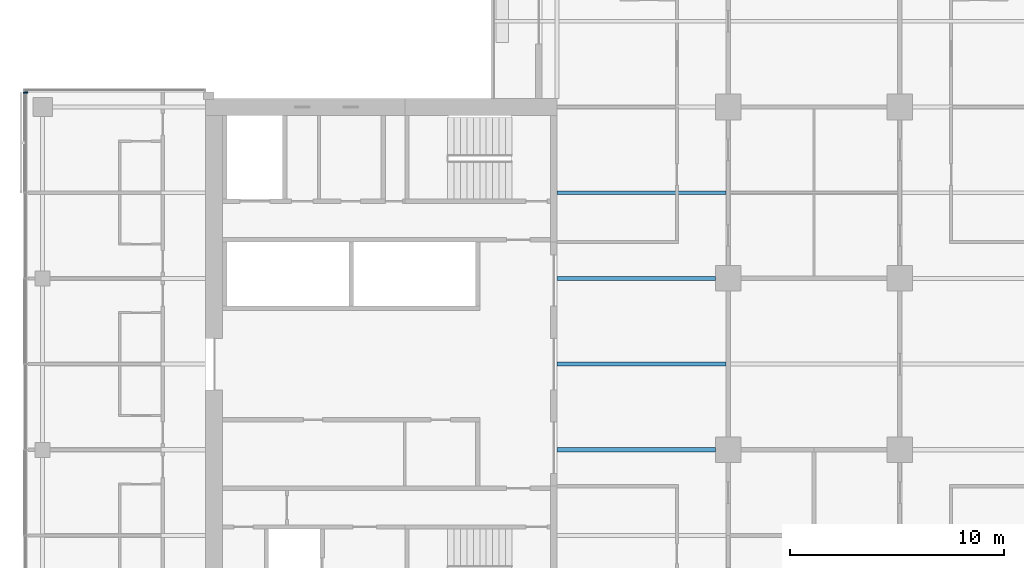
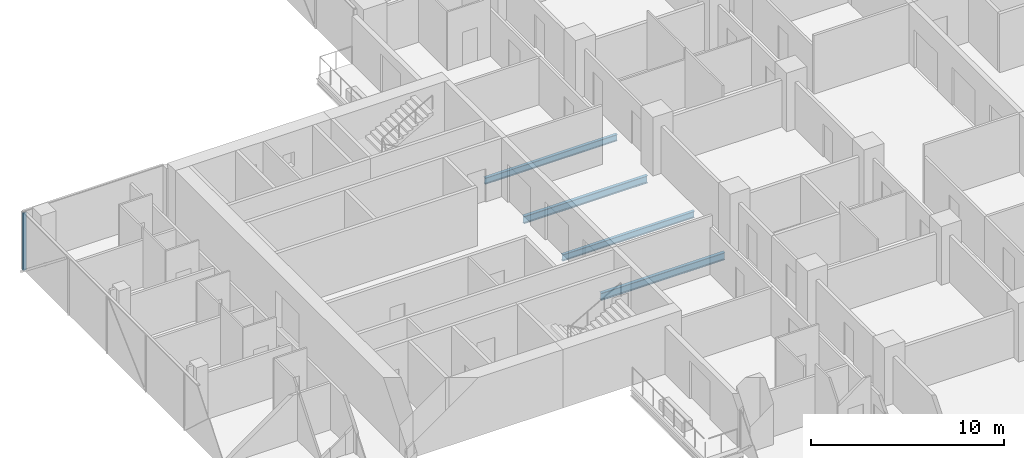
# One storey, part 7 of 29: 4 beams, 1 member, 1 element without a shape of its own.
"""IFC4 building model written with IfcOpenShell, lengths in metres."""

from ifc_helpers import new_model, si_unit, direction, frame, origin, origin_2d, place, context, subcontext, project, spatial, rectangle, i_section, extrude, material, material_profile, profile_set, type_object, element, aggregate, save


model = new_model("IFC4")

# Units and contexts
model_context = context("Model", 3, precision=1e-05, world=origin(), true_north=direction((0.0, 1.0)))
body_context = subcontext(model_context, "Body", "Model", "MODEL_VIEW")
ifc_project = project(units=[si_unit("LENGTHUNIT", "METRE"), si_unit("AREAUNIT", "SQUARE_METRE"), si_unit("VOLUMEUNIT", "CUBIC_METRE"), si_unit("PLANEANGLEUNIT", "RADIAN"), si_unit("MASSUNIT", "GRAM", prefix="KILO")], contexts=[model_context])

# Site, building, storey
site_placement = place(None, origin())
site = spatial("IfcSite", under=ifc_project, at=site_placement, CompositionType="ELEMENT")
building_placement = place(site_placement, origin())
building = spatial("IfcBuilding", under=site, at=building_placement, Name="Crosswind Convention Tower", CompositionType="ELEMENT")
storey_placement = place(building_placement, frame((0.0, 0.0, 53.5)))
storey = spatial("IfcBuildingStorey", under=building, at=storey_placement, Name="L07", CompositionType="ELEMENT", Elevation=53.5)

# Beams
ifc_material_1 = material(Name="Steel S355", Category="steel")
ifc_material_profile_1 = material_profile(ifc_material_1, i_section(OverallWidth=0.19189453125, OverallDepth=0.463623046875, WebThickness=0.010498046875, FlangeThickness=0.017578125, FilletRadius=0.01025390625, at=origin_2d()), Name="UB 457x191x90")
ifc_profile_set_1 = profile_set([ifc_material_profile_1], Name="Steel S355")
beam_type_1 = type_object("IfcBeamType", Name="Girder at core wall UB 457x191x90", PredefinedType="BEAM", material=ifc_profile_set_1)
for number, where, z_axis, x_axis, name in (
    (1, (113.0, 96.0, -0.51171875), (1.0, 0.0, 0.0), (0.0, 1.0, 0.0), "B24 L07 girder at core wall 4"),
    (2, (113.0, 104.0, -0.51171875), (1.0, 0.0, 0.0), (0.0, 1.0, 0.0), "B24 L07 girder at core wall 5"),
):
    element("IfcBeam", number, at=place(storey_placement, frame(where, z_axis=z_axis, x_axis=x_axis)), inside=storey, type_object=beam_type_1, Name=name, PredefinedType="BEAM", context=body_context, shape_type="SweptSolid", body=[
        extrude(i_section(OverallWidth=0.19189453125, OverallDepth=0.463623046875, WebThickness=0.010498046875, FlangeThickness=0.017578125, FilletRadius=0.01025390625, at=origin_2d()), origin(), (0.0, 0.0, 1.0), 7.39990234375),
    ])

# Curtain wall, member
ifc_material_2 = material(Name="Aluminium unitised curtain wall", Category="aluminium")
curtain_wall_type = type_object("IfcCurtainWallType", Name="HOTEL UNITISED WALL 200", PredefinedType="USERDEFINED", material=ifc_material_2)
curtain_wall_placement = place(storey_placement, origin())
curtain_wall = element("IfcCurtainWall", 3, at=curtain_wall_placement, inside=storey, type_object=curtain_wall_type, Name="CW2 L07 W-TIP 1", ObjectType="UNITISED", PredefinedType="USERDEFINED")
ifc_material_3 = material(Name="Aluminium mullion", Category="aluminium")
ifc_material_profile_2 = material_profile(ifc_material_3, rectangle(XDim=0.199951171875, YDim=0.06494140625, at=origin_2d()), Name="AL 200X65")
ifc_profile_set_2 = profile_set([ifc_material_profile_2], Name="Aluminium mullion")
member_type = type_object("IfcMemberType", Name="MULLION 65X200", PredefinedType="MULLION", material=ifc_profile_set_2)
member_placement = place(storey_placement, frame((88.199951171875, 112.66748046875, -0.280029296875), z_axis=(0.0, 0.0, 1.0), x_axis=(-1.0, 0.0, 0.0)))
member = element("IfcMember", 4, at=member_placement, type_object=member_type, Name="CW2 mullion 1", PredefinedType="MULLION", context=body_context, shape_type="SweptSolid", body=[
    extrude(rectangle(XDim=0.199951171875, YDim=0.06494140625, at=origin_2d()), origin(), (0.0, 0.0, 1.0), 3.635009765625),
])
aggregate(curtain_wall, [member])

# Beams
ifc_material_profile_3 = material_profile(ifc_material_1, i_section(OverallWidth=0.177734375, OverallDepth=0.406494140625, WebThickness=0.0078125, FlangeThickness=0.0126953125, FilletRadius=0.01025390625, at=origin_2d()), Name="UB 406x178x60")
ifc_profile_set_3 = profile_set([ifc_material_profile_3], Name="Steel S355")
beam_type_2 = type_object("IfcBeamType", Name="Secondary beam UB 406x178x60", PredefinedType="JOIST", material=ifc_profile_set_3)
for number, where, z_axis, x_axis, name in (
    (5, (113.0, 100.0, -0.483154296875), (1.0, 0.0, 0.0), (0.0, 1.0, 0.0), "B10 L07 secondary beam 5"),
    (6, (113.0, 108.0, -0.483154296875), (1.0, 0.0, 0.0), (0.0, 1.0, 0.0), "B10 L07 secondary beam 6"),
):
    element("IfcBeam", number, at=place(storey_placement, frame(where, z_axis=z_axis, x_axis=x_axis)), inside=storey, type_object=beam_type_2, Name=name, PredefinedType="JOIST", context=body_context, shape_type="SweptSolid", body=[
        extrude(i_section(OverallWidth=0.177734375, OverallDepth=0.406494140625, WebThickness=0.0078125, FlangeThickness=0.0126953125, FilletRadius=0.01025390625, at=origin_2d()), origin(), (0.0, 0.0, 1.0), 7.904296875),
    ])

save(model, "model.ifc")
